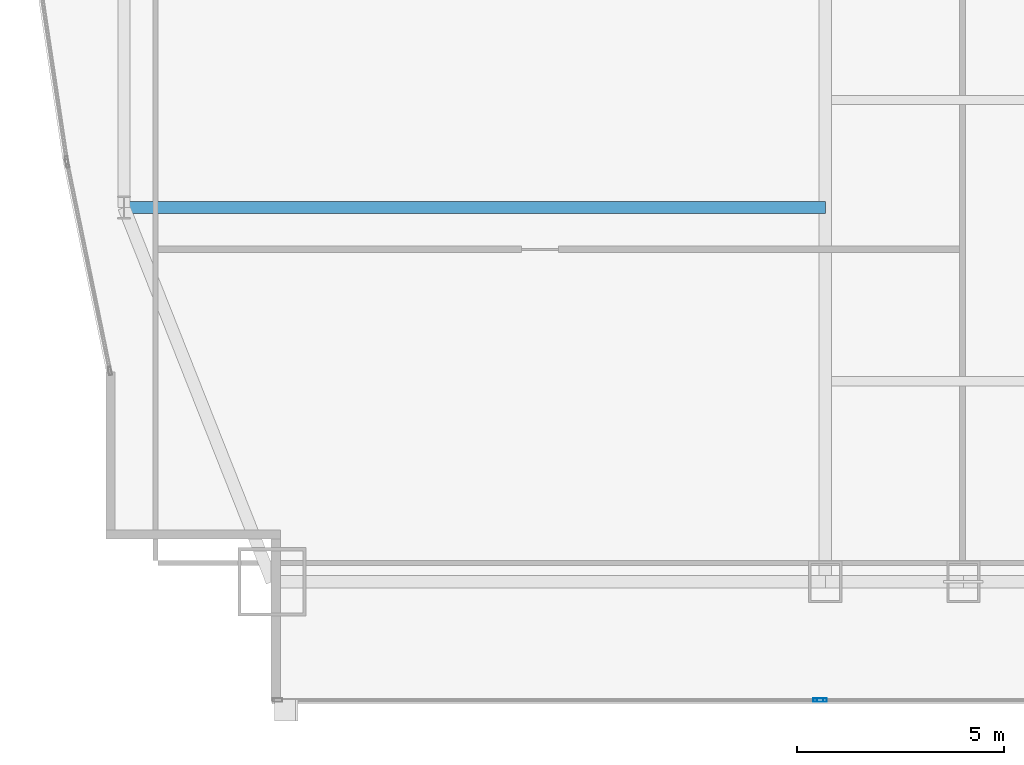
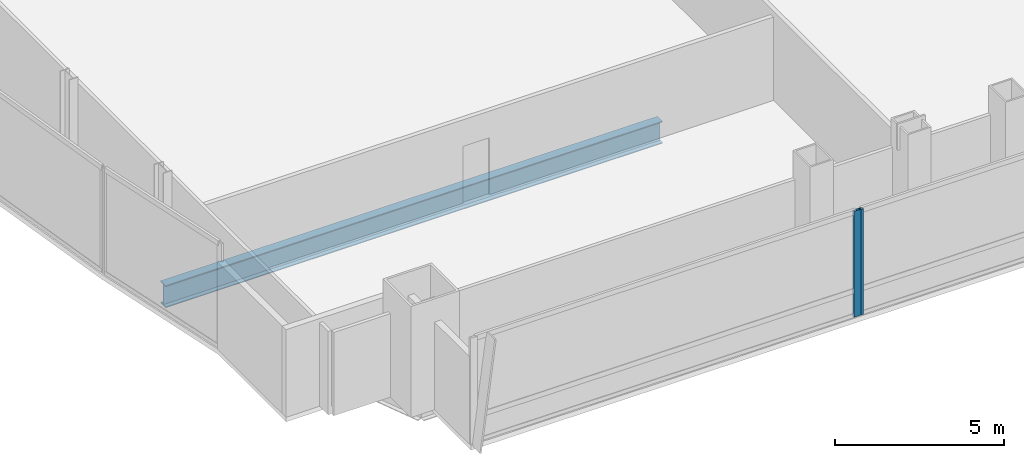
# One storey, part 7 of 36: 2 members, 1 beam, 2 elements without a shape of their own.
"""IFC4 building model written with IfcOpenShell, lengths in metres."""

from ifc_helpers import new_model, si_unit, direction, frame, origin, origin_2d, place, context, subcontext, project, spatial, hollow_rectangle, i_section, extrude, material, material_profile, profile_set, type_object, element, aggregate, save


model = new_model("IFC4")

# Units and contexts
model_context = context("Model", 3, precision=1e-05, world=origin(), true_north=direction((0.0, 1.0)))
body_context = subcontext(model_context, "Body", "Model", "MODEL_VIEW")
ifc_project = project(units=[si_unit("LENGTHUNIT", "METRE"), si_unit("AREAUNIT", "SQUARE_METRE"), si_unit("VOLUMEUNIT", "CUBIC_METRE"), si_unit("PLANEANGLEUNIT", "RADIAN"), si_unit("MASSUNIT", "GRAM", prefix="KILO")], contexts=[model_context])

# Site, building, storey
site_placement = place(None, origin())
site = spatial("IfcSite", under=ifc_project, at=site_placement, CompositionType="ELEMENT")
building_placement = place(site_placement, origin())
building = spatial("IfcBuilding", under=site, at=building_placement, Name="Khoronbel Lancet Exchange", CompositionType="ELEMENT")
storey_placement = place(building_placement, frame((0.0, 0.0, 57.800048828125)))
storey = spatial("IfcBuildingStorey", under=building, at=storey_placement, Name="L13", CompositionType="ELEMENT", Elevation=57.800048828125)

# Beam
ifc_material_1 = material(Name="Steel S355", Category="steel")
ifc_material_profile_1 = material_profile(ifc_material_1, i_section(OverallWidth=0.300048828125, OverallDepth=0.800048828125, WebThickness=0.017578125, FlangeThickness=0.032958984375, at=origin_2d()), Name="HEB 800")
ifc_profile_set_1 = profile_set([ifc_material_profile_1], Name="Steel S355")
beam_type = type_object("IfcBeamType", Name="BM-BG2", PredefinedType="BEAM", material=ifc_profile_set_1)
beam_placement = place(storey_placement, frame((1.27001953125, 19.199951171875, -0.580078125), z_axis=(1.0, 0.0, 0.0), x_axis=(0.0, 1.0, 0.0)))
element("IfcBeam", 1, at=beam_placement, inside=storey, type_object=beam_type, Name="Level L13 west lens tie girder LG1W", PredefinedType="BEAM", context=body_context, shape_type="SweptSolid", body=[
    extrude(i_section(OverallWidth=0.300048828125, OverallDepth=0.800048828125, WebThickness=0.017578125, FlangeThickness=0.032958984375, at=origin_2d()), origin(), (0.0, 0.0, 1.0), 16.955078125),
])

# Curtain wall, member
ifc_material_2 = material(Name="Low-E Solar Control Insulating Glass", Category="glass")
curtain_wall_type = type_object("IfcCurtainWallType", Name="CW-1", PredefinedType="NOTDEFINED", material=ifc_material_2)
curtain_wall_1_placement = place(storey_placement, origin())
curtain_wall_1 = element("IfcCurtainWall", 2, at=curtain_wall_1_placement, inside=storey, type_object=curtain_wall_type, Name="Unitised curtain wall CW-L13-SWV", PredefinedType="NOTDEFINED")
ifc_material_3 = material(Name="Bronze-Anodised Aluminium 6063-T6", Category="aluminium")
ifc_material_profile_2 = material_profile(ifc_material_3, hollow_rectangle(XDim=0.0849609375, YDim=0.239990234375, WallThickness=0.006103515625, at=origin_2d()), Name="ALU MULLION 85x240")
ifc_profile_set_2 = profile_set([ifc_material_profile_2], Name="Bronze-Anodised Aluminium 6063-T6")
member_type = type_object("IfcMemberType", Name="MEM-CWM1", PredefinedType="MULLION", material=ifc_profile_set_2)
member_1_placement = place(storey_placement, frame((18.0576171875, 7.2900390625, 0.0), z_axis=(0.0, 0.0, 1.0), x_axis=(0.0, 1.0, 0.0)))
member_1 = element("IfcMember", 3, at=member_1_placement, type_object=member_type, Name="CW1 mullion 2", PredefinedType="MULLION", context=body_context, shape_type="SweptSolid", body=[
    extrude(hollow_rectangle(XDim=0.0849609375, YDim=0.239990234375, WallThickness=0.006103515625, at=origin_2d()), origin(), (0.0, 0.0, 1.0), 3.820068359375),
])
aggregate(curtain_wall_1, [member_1])

curtain_wall_2_placement = place(storey_placement, origin())
curtain_wall_2 = element("IfcCurtainWall", 4, at=curtain_wall_2_placement, inside=storey, type_object=curtain_wall_type, Name="Unitised curtain wall CW-L13-SWB", PredefinedType="NOTDEFINED")
member_2_placement = place(storey_placement, frame((18.142578125, 7.2900390625, 0.0), z_axis=(0.0, 0.0, 1.0), x_axis=(0.0, 1.0, 0.0)))
member_2 = element("IfcMember", 5, at=member_2_placement, type_object=member_type, Name="CW1 mullion 1", PredefinedType="MULLION", context=body_context, shape_type="SweptSolid", body=[
    extrude(hollow_rectangle(XDim=0.0849609375, YDim=0.239990234375, WallThickness=0.006103515625, at=origin_2d()), origin(), (0.0, 0.0, 1.0), 3.820068359375),
])
aggregate(curtain_wall_2, [member_2])

save(model, "model.ifc")
